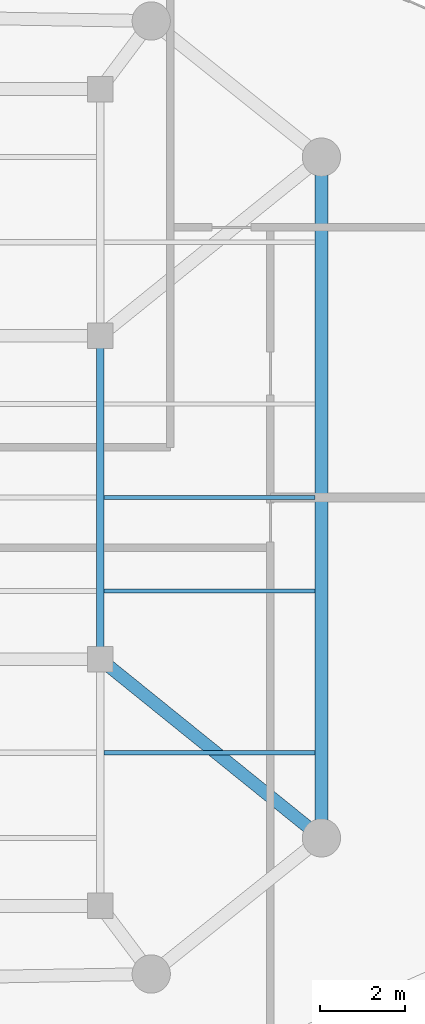
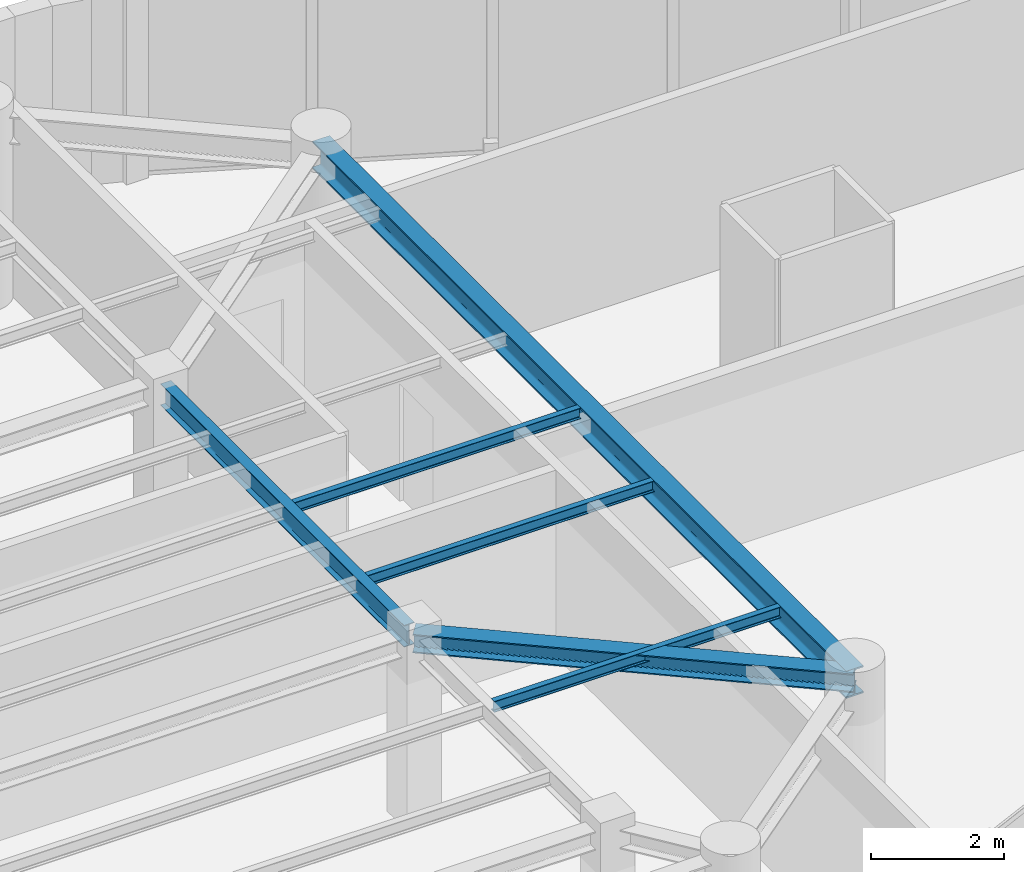
# One storey, part 3 of 12: 6 beams.
"""IFC4 building model written with IfcOpenShell, lengths in metres."""

import ifcopenshell
import ifcopenshell.guid

model = None  # the IFC model being written
_history = None  # IfcOwnerHistory: only IFC2X3 demands one
_inside = {}  # id of a spatial element -> (the spatial element, [elements in it])
_under = {}  # id of a project, library or spatial element -> (it, [spatial elements below it])
_declared = {}  # id of a project -> (the project, [libraries it declares])
_typed = {}  # id of a type object -> (the type object, [elements of that type])
_made_of = {}  # id of a material, layer set ... -> (it, [elements and type objects made of it])


def new_model(schema):
    """Start an empty IFC model of exactly this schema.

    Asked for "IFC4X3", IfcOpenShell would pick the latest addendum, in which some entities
    have other attributes; the version numbers below select the first issue.
    IFC2X3 requires an IfcOwnerHistory on every rooted entity: one is made here for all.
    """
    global model, _history
    if schema == "IFC4X3":
        model = ifcopenshell.file(schema_version=(4, 3, 0, 0))
    else:
        model = ifcopenshell.file(schema=schema)
    _inside.clear()
    _under.clear()
    _declared.clear()
    _typed.clear()
    _made_of.clear()
    _history = None
    if model.schema == "IFC2X3":
        org = make("IfcOrganization", Name="unknown")
        user = make(
            "IfcPersonAndOrganization",
            ThePerson=make("IfcPerson", FamilyName="unknown"),
            TheOrganization=org,
        )
        app = make(
            "IfcApplication",
            ApplicationDeveloper=org,
            Version="unknown",
            ApplicationFullName="unknown",
            ApplicationIdentifier="unknown",
        )
        _history = make(
            "IfcOwnerHistory",
            OwningUser=user,
            OwningApplication=app,
            ChangeAction="ADDED",
            CreationDate=0,
        )
    return model


def make(cls, **values):
    """One entity of the class cls with the attributes given. An attribute that is None is left unset."""
    return model.create_entity(
        cls, **{name: value for name, value in values.items() if value is not None}
    )


def rooted(cls, **values):
    """An entity with a GlobalId (a new one), such as an element, a storey or a relation."""
    return make(cls, GlobalId=ifcopenshell.guid.new(), OwnerHistory=_history, **values)


def si_unit(unit_type, name, prefix=None):
    """IfcSIUnit, for example si_unit("LENGTHUNIT", "METRE", prefix="MILLI")."""
    return make("IfcSIUnit", UnitType=unit_type, Prefix=prefix, Name=name)


def assignment(units):
    """IfcUnitAssignment: the units of a project."""
    return None if units is None else make("IfcUnitAssignment", Units=units)


def point(xyz):
    """IfcCartesianPoint."""
    return None if xyz is None else make("IfcCartesianPoint", Coordinates=xyz)


def direction(xyz):
    """IfcDirection."""
    return None if xyz is None else make("IfcDirection", DirectionRatios=xyz)


def frame(location, z_axis=None, x_axis=None):
    """IfcAxis2Placement3D, a coordinate frame: its origin and axes. An axis left out is left unset."""
    return make(
        "IfcAxis2Placement3D",
        Location=point(location),
        Axis=direction(z_axis),
        RefDirection=direction(x_axis),
    )


def frame_2d(location, x_axis=None):
    """IfcAxis2Placement2D, a coordinate frame in the plane: its origin and x axis."""
    return make(
        "IfcAxis2Placement2D", Location=point(location), RefDirection=direction(x_axis)
    )


def origin():
    """The frame at (0, 0, 0) with its axes left unset."""
    return frame((0.0, 0.0, 0.0))


def origin_2d():
    """The frame at (0, 0) in the plane with its x axis left unset."""
    return frame_2d((0.0, 0.0))


def place(relative_to, where):
    """IfcLocalPlacement: puts the frame where relative to a parent placement (None: the world)."""
    return make(
        "IfcLocalPlacement", PlacementRelTo=relative_to, RelativePlacement=where
    )


def context(
    kind, dimensions, precision=None, world=None, true_north=None, identifier=None
):
    """IfcGeometricRepresentationContext, for example the 3D "Model" context."""
    return make(
        "IfcGeometricRepresentationContext",
        ContextIdentifier=identifier,
        ContextType=kind,
        CoordinateSpaceDimension=dimensions,
        Precision=precision,
        WorldCoordinateSystem=world,
        TrueNorth=true_north,
    )


def subcontext(parent, identifier, kind, view, scale=None):
    """IfcGeometricRepresentationSubContext, for example "Body" below "Model"."""
    return make(
        "IfcGeometricRepresentationSubContext",
        ContextIdentifier=identifier,
        ContextType=kind,
        ParentContext=parent,
        TargetScale=scale,
        TargetView=view,
    )


def project(units=None, contexts=None):
    """IfcProject with its units and contexts."""
    return rooted(
        "IfcProject",
        Name="project",
        RepresentationContexts=contexts,
        UnitsInContext=assignment(units),
    )


def spatial(cls, under=None, at=None, **own):
    """A site, building, storey or space (cls), placed at a placement, below another one or the project."""
    s = rooted(cls, ObjectPlacement=at, **own)
    if under is not None:
        _under.setdefault(under.id(), (under, []))[1].append(s)
    return s


def profile(cls, at=None, kind="AREA", **sizes):
    """A parametric profile (cls). Its sizes go by their IFC names, for example OverallWidth=200.0."""
    return make(cls, ProfileType=kind, Position=at, **sizes)


def i_section(**sizes):
    """IfcIShapeProfileDef."""
    return profile("IfcIShapeProfileDef", **sizes)


def extrude(swept, where, along, depth):
    """IfcExtrudedAreaSolid: the profile swept, set in the frame where, extruded along a direction by depth."""
    return make(
        "IfcExtrudedAreaSolid",
        SweptArea=swept,
        Position=where,
        ExtrudedDirection=direction(along),
        Depth=depth,
    )


def shape(context_of_items, identifier, shape_type, items):
    """IfcShapeRepresentation: the items that make up one representation, for example the "Body"."""
    return make(
        "IfcShapeRepresentation",
        ContextOfItems=context_of_items,
        RepresentationIdentifier=identifier,
        RepresentationType=shape_type,
        Items=items,
    )


def material(Name=None, Category=None):
    """IfcMaterial."""
    return make("IfcMaterial", Name=Name, Category=Category)


def material_profile(
    of_material, cross_section, Name=None, Category=None, Priority=None
):
    """IfcMaterialProfile: a cross section and its material."""
    return make(
        "IfcMaterialProfile",
        Name=Name,
        Material=of_material,
        Profile=cross_section,
        Priority=Priority,
        Category=Category,
    )


def profile_set(profiles, Name=None, composite=None):
    """IfcMaterialProfileSet."""
    return make(
        "IfcMaterialProfileSet",
        Name=Name,
        MaterialProfiles=profiles,
        CompositeProfile=composite,
    )


def made_of(thing, what):
    """Note that an element or type object is made of a material, layer set ...; save() writes the relation."""
    if what is not None:
        _made_of.setdefault(what.id(), (what, []))[1].append(thing)
    return thing


def type_object(cls, material=None, **own):
    """A type object (cls), such as IfcWallType, which elements share."""
    return made_of(rooted(cls, **own), material)


def element(
    cls,
    number,
    at=None,
    inside=None,
    cuts=None,
    type_object=None,
    material=None,
    context=None,
    identifier="Body",
    shape_type=None,
    held_by="IfcProductDefinitionShape",
    body=None,
    shapes=None,
    **own,
):
    """One element of the class cls, such as IfcWall. Its Tag is "e" and its number.

    at: its placement. inside: the storey or other place that contains it. cuts: it is an
    opening in that element (IfcRelVoidsElement). A single representation is given by context,
    identifier, shape_type and body (its items); several are given by shapes. held_by: the class
    of the entity that holds the representations. save() writes the other relations.
    """
    e = rooted(cls, Tag="e%d" % number, ObjectPlacement=at, **own)
    if body is not None:
        shapes = [shape(context, identifier, shape_type, body)]
    if shapes is not None:
        e.Representation = make(held_by, Representations=shapes)
    if inside is not None:
        _inside.setdefault(inside.id(), (inside, []))[1].append(e)
    if cuts is not None:
        rooted(
            "IfcRelVoidsElement", RelatingBuildingElement=cuts, RelatedOpeningElement=e
        )
    if type_object is not None:
        _typed.setdefault(type_object.id(), (type_object, []))[1].append(e)
    return made_of(e, material)


def aggregate(whole, parts):
    """IfcRelAggregates: a whole, such as a stair, and the parts it consists of."""
    return rooted("IfcRelAggregates", RelatingObject=whole, RelatedObjects=parts)


def save(model, path):
    """Write the relations noted so far, then the file.

    IfcRelAggregates (storeys below a building ...), IfcRelContainedInSpatialStructure (elements
    in a storey), IfcRelDefinesByType, IfcRelAssociatesMaterial and IfcRelDeclares: one each for
    every whole, place, type object, material and project.
    """
    for whole, parts in _under.values():
        aggregate(whole, parts)
    for where, things in _inside.values():
        rooted(
            "IfcRelContainedInSpatialStructure",
            RelatedElements=things,
            RelatingStructure=where,
        )
    for kind, things in _typed.values():
        rooted("IfcRelDefinesByType", RelatedObjects=things, RelatingType=kind)
    for what, things in _made_of.values():
        rooted("IfcRelAssociatesMaterial", RelatedObjects=things, RelatingMaterial=what)
    for by, libraries in _declared.values():
        rooted("IfcRelDeclares", RelatingContext=by, RelatedDefinitions=libraries)
    model.write(path)


model = new_model("IFC4")

# Units and contexts
model_context = context("Model", 3, precision=1e-05, world=origin(), true_north=direction((0.0, 1.0)))
body_context = subcontext(model_context, "Body", "Model", "MODEL_VIEW")
ifc_project = project(units=[si_unit("LENGTHUNIT", "METRE"), si_unit("AREAUNIT", "SQUARE_METRE"), si_unit("VOLUMEUNIT", "CUBIC_METRE"), si_unit("PLANEANGLEUNIT", "RADIAN"), si_unit("MASSUNIT", "GRAM", prefix="KILO")], contexts=[model_context])

# Site, building, storey
site_placement = place(None, origin())
site = spatial("IfcSite", under=ifc_project, at=site_placement, CompositionType="ELEMENT")
building_placement = place(site_placement, origin())
building = spatial("IfcBuilding", under=site, at=building_placement, Name="An Khanh Terracotta Commons", CompositionType="ELEMENT")
storey_placement = place(building_placement, frame((0.0, 0.0, 291.64990234375)))
storey = spatial("IfcBuildingStorey", under=building, at=storey_placement, Name="L76", CompositionType="ELEMENT", Elevation=291.64990234375)

# Beams
ifc_material = material(Name="Steel S355J2", Category="steel")
ifc_material_profile_1 = material_profile(ifc_material, i_section(OverallWidth=0.300048828125, OverallDepth=0.340087890625, WebThickness=0.011962890625, FlangeThickness=0.021484375, FilletRadius=0.027099609375, at=origin_2d()), Name="HEB340")
ifc_profile_set_1 = profile_set([ifc_material_profile_1], Name="Steel S355J2")
beam_type_1 = type_object("IfcBeamType", Name="BM-HEB340", PredefinedType="BEAM", material=ifc_profile_set_1)
beam_1_placement = place(storey_placement, frame((63.39990234375, 16.0, 3.239990234375), z_axis=(-0.777941866883, 0.628336256913, 0.0), x_axis=(-0.628336256913, -0.777941866883, 0.0)))
element("IfcBeam", 1, at=beam_1_placement, inside=storey, type_object=beam_type_1, Name="L76 Mega-Column Tie Girder 3", PredefinedType="BEAM", context=body_context, shape_type="SweptSolid", body=[
    extrude(i_section(OverallWidth=0.300048828125, OverallDepth=0.340087890625, WebThickness=0.011962890625, FlangeThickness=0.021484375, FilletRadius=0.027099609375, at=origin_2d()), origin(), (0.0, 0.0, 1.0), 6.684326171875),
])
ifc_material_profile_2 = material_profile(ifc_material, i_section(OverallWidth=0.300048828125, OverallDepth=0.5, WebThickness=0.014404296875, FlangeThickness=0.028076171875, FilletRadius=0.027099609375, at=origin_2d()), Name="HEB500")
ifc_profile_set_2 = profile_set([ifc_material_profile_2], Name="Steel S355J2")
beam_type_2 = type_object("IfcBeamType", Name="BM-HEB500", PredefinedType="BEAM", material=ifc_profile_set_2)
beam_2_placement = place(storey_placement, frame((63.39990234375, 16.0, 3.16015625), z_axis=(0.0, 1.0, 0.0), x_axis=(-1.0, 0.0, 0.0)))
element("IfcBeam", 2, at=beam_2_placement, inside=storey, type_object=beam_type_2, Name="L76 Perimeter Ring Spandrel 3", PredefinedType="BEAM", context=body_context, shape_type="SweptSolid", body=[
    extrude(i_section(OverallWidth=0.300048828125, OverallDepth=0.5, WebThickness=0.014404296875, FlangeThickness=0.028076171875, FilletRadius=0.027099609375, at=origin_2d()), origin(), (0.0, 0.0, 1.0), 16.0),
])
ifc_material_profile_3 = material_profile(ifc_material, i_section(OverallWidth=0.10009765625, OverallDepth=0.199951171875, WebThickness=0.005615234375, FlangeThickness=0.008544921875, FilletRadius=0.011962890625, at=origin_2d()), Name="IPE200")
ifc_profile_set_3 = profile_set([ifc_material_profile_3], Name="Steel S355J2")
beam_type_3 = type_object("IfcBeamType", Name="BM-IPE200", PredefinedType="JOIST", material=ifc_profile_set_3)
for number, where, z_axis, x_axis, name in (
    (3, (58.2900390625, 18.0, 3.31005859375), (1.0, 0.0, 0.0), (0.0, 1.0, 0.0), "L76 Riverfront Composite Joist 2"),
    (4, (58.2900390625, 21.800048828125, 3.31005859375), (1.0, 0.0, 0.0), (0.0, 1.0, 0.0), "L76 Riverfront Composite Joist 3"),
    (5, (58.2900390625, 24.0, 3.31005859375), (1.0, 0.0, 0.0), (0.0, 1.0, 0.0), "L76 Riverfront Composite Joist 4"),
):
    element("IfcBeam", number, at=place(storey_placement, frame(where, z_axis=z_axis, x_axis=x_axis)), inside=storey, type_object=beam_type_3, Name=name, PredefinedType="JOIST", context=body_context, shape_type="SweptSolid", body=[
        extrude(i_section(OverallWidth=0.10009765625, OverallDepth=0.199951171875, WebThickness=0.005615234375, FlangeThickness=0.008544921875, FilletRadius=0.011962890625, at=origin_2d()), origin(), (0.0, 0.0, 1.0), 4.9599609375),
    ])
ifc_material_profile_4 = material_profile(ifc_material, i_section(OverallWidth=0.179931640625, OverallDepth=0.39990234375, WebThickness=0.008544921875, FlangeThickness=0.013427734375, FilletRadius=0.02099609375, at=origin_2d()), Name="IPE400")
ifc_profile_set_4 = profile_set([ifc_material_profile_4], Name="Steel S355J2")
beam_type_4 = type_object("IfcBeamType", Name="BM-IPE400", PredefinedType="JOIST", material=ifc_profile_set_4)
beam_3_placement = place(storey_placement, frame((58.199951171875, 20.35009765625, 3.210205078125), z_axis=(0.0, 1.0, 0.0), x_axis=(-1.0, 0.0, 0.0)))
element("IfcBeam", 6, at=beam_3_placement, inside=storey, type_object=beam_type_4, Name="L76 East Spine Girder 2", PredefinedType="JOIST", context=body_context, shape_type="SweptSolid", body=[
    extrude(i_section(OverallWidth=0.179931640625, OverallDepth=0.39990234375, WebThickness=0.008544921875, FlangeThickness=0.013427734375, FilletRadius=0.02099609375, at=origin_2d()), origin(), (0.0, 0.0, 1.0), 7.2998046875),
])

save(model, "model.ifc")
